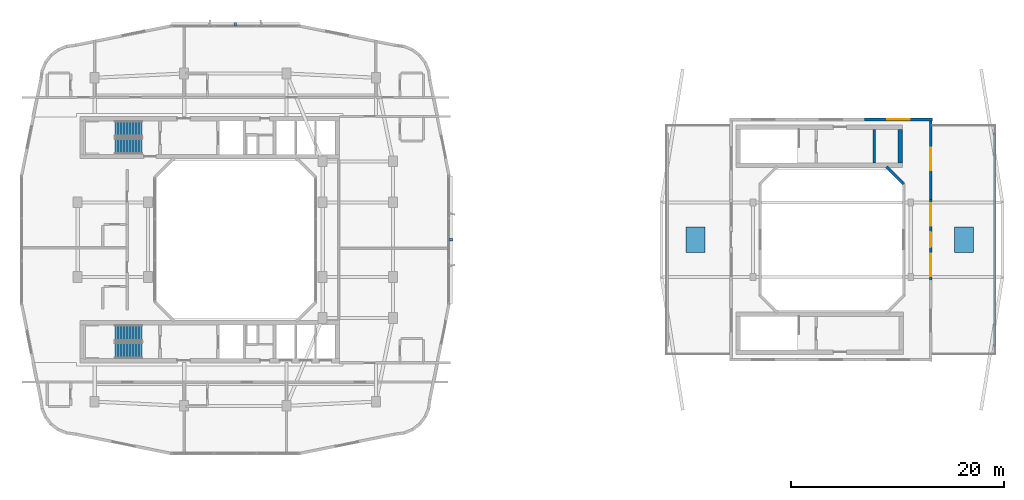
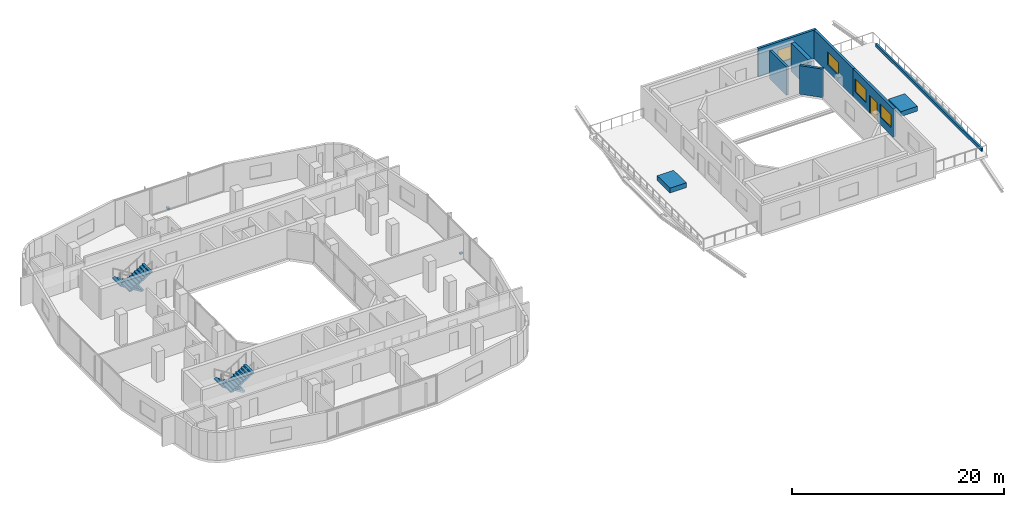
# One storey, part 13 of 18: 7 walls, 4 discrete accessories, 4 stair flights, 4 windows, 1 door, 5 openings, 2 elements without a shape of their own.
"""IFC4 building model written with IfcOpenShell, lengths in metres."""

from ifc_helpers import new_model, si_unit, derived_unit, direction, frame, frame_2d, origin, origin_2d, place, context, subcontext, project, spatial, polyline, rectangle, outline, extrude, material, layer, layer_set, type_object, element, fill, aggregate, save


model = new_model("IFC4")

# Units and contexts
model_context = context("Model", 3, precision=1e-05, world=origin(), true_north=direction((0.0, 1.0)))
body_context = subcontext(model_context, "Body", "Model", "MODEL_VIEW")
ifc_project = project(units=[si_unit("LENGTHUNIT", "METRE"), si_unit("AREAUNIT", "SQUARE_METRE"), si_unit("VOLUMEUNIT", "CUBIC_METRE"), si_unit("PLANEANGLEUNIT", "RADIAN"), si_unit("MASSUNIT", "GRAM", prefix="KILO"), derived_unit("THERMALTRANSMITTANCEUNIT", [(si_unit("POWERUNIT", "WATT"), 1), (si_unit("LENGTHUNIT", "METRE"), -2), (si_unit("THERMODYNAMICTEMPERATUREUNIT", "KELVIN"), -1)])], contexts=[model_context])

# Site, building, storey
site_placement = place(None, origin())
site = spatial("IfcSite", under=ifc_project, at=site_placement, CompositionType="ELEMENT")
building_placement = place(site_placement, origin())
building = spatial("IfcBuilding", under=site, at=building_placement, Name="Kivonza Crest Hotel", CompositionType="ELEMENT")
storey_placement = place(building_placement, frame((0.0, 0.0, 131.0)))
storey = spatial("IfcBuildingStorey", under=building, at=storey_placement, Name="L35", CompositionType="ELEMENT", Elevation=131.0)

# Wall
ifc_material_1 = material(Name="Concrete C50/60", Category="concrete")
ifc_layer_1 = layer(ifc_material_1, 0.39990234375)
ifc_layer_set_1 = layer_set([ifc_layer_1], Name="Concrete C50/60")
wall_type_1 = type_object("IfcWallType", Name="WL-CORE-400", PredefinedType="SHEAR", material=ifc_layer_set_1)
wall_1_placement = place(storey_placement, frame((83.39990234375, 32.199951171875, 0.0), z_axis=(0.0, 0.0, 1.0), x_axis=(0.0, 1.0, 0.0)))
element("IfcWall", 1, at=wall_1_placement, inside=storey, type_object=wall_type_1, Name="Core wall T2-N East L35", PredefinedType="SHEAR", context=body_context, shape_type="SweptSolid", body=[
    extrude(rectangle(XDim=3.16015625, YDim=0.39990234375, at=frame_2d((1.580078125, 0.0))), origin(), (0.0, 0.0, 1.0), 3.2900390625),
])

# Wall, openings, door, windows
ifc_material_2 = material(Name="Precast concrete C40/50", Category="concrete")
ifc_layer_2 = layer(ifc_material_2, 0.260009765625)
ifc_layer_set_2 = layer_set([ifc_layer_2], Name="Precast concrete C40/50")
wall_type_2 = type_object("IfcWallType", Name="WL-EXT-260", PredefinedType="STANDARD", material=ifc_layer_set_2)
wall_2_placement = place(storey_placement, frame((86.27001953125, 21.19189453125, 0.0), z_axis=(0.0, 0.0, 1.0), x_axis=(0.0, 1.0, 0.0)))
wall_2 = element("IfcWall", 2, at=wall_2_placement, inside=storey, type_object=wall_type_2, Name="L35 T2PAV exterior insulated wall 5", PredefinedType="STANDARD", context=body_context, shape_type="SweptSolid", body=[
    extrude(rectangle(XDim=7.6162109375, YDim=0.260009765625, at=frame_2d((3.80810546875, 0.0))), origin(), (0.0, 0.0, 1.0), 3.2900390625),
])
opening_1_placement = place(wall_2_placement, frame((3.10791015625, 0.0, 0.0)))
opening_1 = element("IfcOpeningElement", 3, at=opening_1_placement, cuts=wall_2, Name="Opening DT-140", PredefinedType="OPENING", context=body_context, shape_type="SweptSolid", body=[
    extrude(rectangle(XDim=1.39990234375, YDim=2.14990234375, at=frame_2d((0.699951171875, 1.074951171875))), frame((0.0, 0.14013671875, 0.0), z_axis=(0.0, -1.0, 0.0), x_axis=(1.0, 0.0, 0.0)), (0.0, 0.0, 1.0), 0.280029296875),
])
opening_2_placement = place(wall_2_placement, frame((0.39892578125, 0.0, 0.85009765625)))
opening_2 = element("IfcOpeningElement", 4, at=opening_2_placement, cuts=wall_2, Name="Opening WN-04", PredefinedType="OPENING", context=body_context, shape_type="SweptSolid", body=[
    extrude(rectangle(XDim=2.10009765625, YDim=1.5, at=frame_2d((1.050048828125, 0.75))), frame((0.0, 0.14013671875, 0.0), z_axis=(0.0, -1.0, 0.0), x_axis=(1.0, 0.0, 0.0)), (0.0, 0.0, 1.0), 0.280029296875),
])
opening_3_placement = place(wall_2_placement, frame((5.116943359375, 0.0, 0.85009765625)))
opening_3 = element("IfcOpeningElement", 5, at=opening_3_placement, cuts=wall_2, Name="Opening WN-04", PredefinedType="OPENING", context=body_context, shape_type="SweptSolid", body=[
    extrude(rectangle(XDim=2.10009765625, YDim=1.5, at=frame_2d((1.050048828125, 0.75))), frame((0.0, 0.14013671875, 0.0), z_axis=(0.0, -1.0, 0.0), x_axis=(1.0, 0.0, 0.0)), (0.0, 0.0, 1.0), 0.280029296875),
])
ifc_material_3 = material(Name="Anodised bronze aluminium and laminated safety glass", Category="aluminium")
door_type = type_object("IfcDoorType", Name="DR-TERR-1400", OperationType="NOTDEFINED", PredefinedType="DOOR", material=ifc_material_3)
door_placement = place(opening_1_placement, frame((1.39990234375, 0.0, 0.0), z_axis=(0.0, 0.0, 1.0), x_axis=(-1.0, 0.0, 0.0)))
door = element("IfcDoor", 6, at=door_placement, inside=storey, type_object=door_type, Name="L35 Companion East rooftop planted terrace access door", OperationType="DOUBLE_DOOR_SINGLE_SWING", OverallHeight=2.14990234375, OverallWidth=1.39990234375, PredefinedType="DOOR", context=body_context, shape_type="SweptSolid", body=[
    extrude(rectangle(XDim=1.39990234375, YDim=2.14990234375, at=frame_2d((0.699951171875, 1.074951171875))), frame((0.0, 0.02490234375, 0.0), z_axis=(0.0, -1.0, 0.0), x_axis=(1.0, 0.0, 0.0)), (0.0, 0.0, 1.0), 0.050048828125),
])
fill(opening_1, door)
ifc_material_4 = material(Name="Thermally broken bronze aluminium and low-E double glazing", Category="aluminium")
window_type = type_object("IfcWindowType", Name="WN-210x150", PartitioningType="DOUBLE_PANEL_VERTICAL", PredefinedType="WINDOW", material=ifc_material_4)
window_1_placement = place(opening_2_placement, origin())
window_1 = element("IfcWindow", 7, at=window_1_placement, inside=storey, type_object=window_type, Name="L35 T2PAV facade window 5 bay 1", OverallHeight=1.5, OverallWidth=2.10009765625, PartitioningType="SINGLE_PANEL", PredefinedType="WINDOW", context=body_context, shape_type="SweptSolid", body=[
    extrude(rectangle(XDim=2.10009765625, YDim=1.5, at=frame_2d((1.050048828125, 0.75))), frame((0.0, 0.030029296875, 0.0), z_axis=(0.0, -1.0, 0.0), x_axis=(1.0, 0.0, 0.0)), (0.0, 0.0, 1.0), 0.06005859375),
])
fill(opening_2, window_1)
window_2_placement = place(opening_3_placement, origin())
window_2 = element("IfcWindow", 8, at=window_2_placement, inside=storey, type_object=window_type, Name="L35 T2PAV facade window 5 bay 2", OverallHeight=1.5, OverallWidth=2.10009765625, PartitioningType="SINGLE_PANEL", PredefinedType="WINDOW", context=body_context, shape_type="SweptSolid", body=[
    extrude(rectangle(XDim=2.10009765625, YDim=1.5, at=frame_2d((1.050048828125, 0.75))), frame((0.0, 0.030029296875, 0.0), z_axis=(0.0, -1.0, 0.0), x_axis=(1.0, 0.0, 0.0)), (0.0, 0.0, 1.0), 0.06005859375),
])
fill(opening_3, window_2)

# Wall, opening, window
wall_3_placement = place(storey_placement, frame((86.27001953125, 28.7919921875, 0.0), z_axis=(0.0, 0.0, 1.0), x_axis=(0.0, 1.0, 0.0)))
wall_3 = element("IfcWall", 9, at=wall_3_placement, inside=storey, type_object=wall_type_2, Name="L35 T2PAV exterior insulated wall 6", PredefinedType="STANDARD", context=body_context, shape_type="SweptSolid", body=[
    extrude(rectangle(XDim=7.597900390625, YDim=0.260009765625, at=frame_2d((3.798828125, 0.0))), origin(), (0.0, 0.0, 1.0), 3.2900390625),
])
opening_4_placement = place(wall_3_placement, frame((2.7490234375, 0.0, 0.85009765625)))
opening_4 = element("IfcOpeningElement", 10, at=opening_4_placement, cuts=wall_3, Name="Opening WN-04", PredefinedType="OPENING", context=body_context, shape_type="SweptSolid", body=[
    extrude(rectangle(XDim=2.10009765625, YDim=1.5, at=frame_2d((1.050048828125, 0.75))), frame((0.0, 0.14013671875, 0.0), z_axis=(0.0, -1.0, 0.0), x_axis=(1.0, 0.0, 0.0)), (0.0, 0.0, 1.0), 0.280029296875),
])
window_3_placement = place(opening_4_placement, origin())
window_3 = element("IfcWindow", 11, at=window_3_placement, inside=storey, type_object=window_type, Name="L35 T2PAV facade window 6", OverallHeight=1.5, OverallWidth=2.10009765625, PartitioningType="SINGLE_PANEL", PredefinedType="WINDOW", context=body_context, shape_type="SweptSolid", body=[
    extrude(rectangle(XDim=2.10009765625, YDim=1.5, at=frame_2d((1.050048828125, 0.75))), frame((0.0, 0.030029296875, 0.0), z_axis=(0.0, -1.0, 0.0), x_axis=(1.0, 0.0, 0.0)), (0.0, 0.0, 1.0), 0.06005859375),
])
fill(opening_4, window_3)

wall_4_placement = place(storey_placement, frame((86.425048828125, 36.27001953125, 0.0), z_axis=(0.0, 0.0, 1.0), x_axis=(-1.0, 0.0, 0.0)))
wall_4 = element("IfcWall", 12, at=wall_4_placement, inside=storey, type_object=wall_type_2, Name="L35 T2PAV exterior insulated wall 7", PredefinedType="STANDARD", context=body_context, shape_type="SweptSolid", body=[
    extrude(rectangle(XDim=6.365966796875, YDim=0.260009765625, at=frame_2d((3.18310546875, 0.0))), origin(), (0.0, 0.0, 1.0), 3.2900390625),
])
opening_5_placement = place(wall_4_placement, frame((2.133056640625, 0.0, 0.85009765625)))
opening_5 = element("IfcOpeningElement", 13, at=opening_5_placement, cuts=wall_4, Name="Opening WN-04", PredefinedType="OPENING", context=body_context, shape_type="SweptSolid", body=[
    extrude(rectangle(XDim=2.10009765625, YDim=1.5, at=frame_2d((1.050048828125, 0.75))), frame((0.0, 0.14013671875, 0.0), z_axis=(0.0, -1.0, 0.0), x_axis=(1.0, 0.0, 0.0)), (0.0, 0.0, 1.0), 0.280029296875),
])
window_4_placement = place(opening_5_placement, origin())
window_4 = element("IfcWindow", 14, at=window_4_placement, inside=storey, type_object=window_type, Name="L35 T2PAV facade window 7", OverallHeight=1.5, OverallWidth=2.10009765625, PartitioningType="SINGLE_PANEL", PredefinedType="WINDOW", context=body_context, shape_type="SweptSolid", body=[
    extrude(rectangle(XDim=2.10009765625, YDim=1.5, at=frame_2d((1.050048828125, 0.75))), frame((0.0, 0.030029296875, 0.0), z_axis=(0.0, -1.0, 0.0), x_axis=(1.0, 0.0, 0.0)), (0.0, 0.0, 1.0), 0.06005859375),
])
fill(opening_5, window_4)

# Walls
wall_5_placement = place(storey_placement, frame((83.756103515625, 30.22802734375, 0.0), z_axis=(0.0, 0.0, 1.0), x_axis=(-0.707106781187, 0.707106781187, 0.0)))
element("IfcWall", 15, at=wall_5_placement, inside=storey, type_object=wall_type_2, Name="L35 T2PAV light-well exterior wall 4", PredefinedType="STANDARD", context=body_context, shape_type="SweptSolid", body=[
    extrude(rectangle(XDim=2.310791015625, YDim=0.260009765625, at=frame_2d((1.1552734375, 0.0))), origin(), (0.0, 0.0, 1.0), 3.2900390625),
])
ifc_layer_3 = layer(ifc_material_2, 0.199951171875)
ifc_layer_set_3 = layer_set([ifc_layer_3], Name="Precast concrete C40/50")
wall_type_3 = type_object("IfcWallType", Name="WL-PARAPET-200", PredefinedType="PARAPET", material=ifc_layer_set_3)
wall_6_placement = place(storey_placement, frame((92.25, 15.0, 0.0), z_axis=(0.0, 0.0, 1.0), x_axis=(0.0, 1.0, 0.0)))
element("IfcWall", 16, at=wall_6_placement, inside=storey, type_object=wall_type_3, Name="T2 L35 E rooftop parapet kerb", PredefinedType="PARAPET", context=body_context, shape_type="SweptSolid", body=[
    extrude(rectangle(XDim=20.0, YDim=0.199951171875, at=frame_2d((10.0, 0.0))), origin(), (0.0, 0.0, 1.0), 0.35009765625),
])
ifc_layer_4 = layer(ifc_material_1, 0.25)
ifc_layer_set_4 = layer_set([ifc_layer_4], Name="Concrete C50/60")
wall_type_4 = type_object("IfcWallType", Name="WL-SHAFT-250", PredefinedType="STANDARD", material=ifc_layer_set_4)
wall_7_placement = place(storey_placement, frame((80.97509765625, 32.199951171875, 0.0), z_axis=(0.0, 0.0, 1.0), x_axis=(0.0, 1.0, 0.0)))
element("IfcWall", 17, at=wall_7_placement, inside=storey, type_object=wall_type_4, Name="Core shaft wall T2-N FFL-W L35", PredefinedType="STANDARD", context=body_context, shape_type="SweptSolid", body=[
    extrude(rectangle(XDim=3.16015625, YDim=0.25, at=frame_2d((1.580078125, 0.0))), origin(), (0.0, 0.0, 1.0), 3.25),
])

# Stair, stair flights
ifc_material_5 = material(Name="Concrete C40/50", Category="concrete")
stair_type = type_object("IfcStairType", Name="ST-DL-20R", PredefinedType="HALF_TURN_STAIR", material=ifc_material_5)
stair_1_placement = place(storey_placement, origin())
stair_1 = element("IfcStair", 18, at=stair_1_placement, inside=storey, type_object=stair_type, Name="L35 Protected Exit Stair ST-T1-N", PredefinedType="HALF_TURN_STAIR")
stair_flight_type = type_object("IfcStairFlightType", Name="SFL-RC-10R", PredefinedType="STRAIGHT", material=ifc_material_5)
stair_flight_1_placement = place(storey_placement, frame((12.239990234375, 35.409912109375, 0.0), z_axis=(0.0, 0.0, 1.0), x_axis=(-1.0, 0.0, 0.0)))
stair_flight_1 = element("IfcStairFlight", 19, at=stair_flight_1_placement, type_object=stair_flight_type, Name="ST-T1-N flight 1", NumberOfRisers=10, NumberOfTreads=9, PredefinedType="STRAIGHT", RiserHeight=0.175, TreadLength=0.28, context=body_context, shape_type="SweptSolid", body=[
    extrude(outline(polyline([(0.0, 0.0), (0.0, 0.175048828125), (0.280029296875, 0.175048828125), (0.280029296875, 0.35009765625), (0.56005859375, 0.35009765625), (0.56005859375, 0.52490234375), (0.840087890625, 0.52490234375), (0.840087890625, 0.699951171875), (1.1201171875, 0.699951171875), (1.1201171875, 0.875), (1.39990234375, 0.875), (1.39990234375, 1.050048828125), (1.679931640625, 1.050048828125), (1.679931640625, 1.22509765625), (1.9599609375, 1.22509765625), (1.9599609375, 1.39990234375), (2.239990234375, 1.39990234375), (2.239990234375, 1.574951171875), (2.52001953125, 1.574951171875), (2.52001953125, 1.75), (2.52001953125, 1.398193359375), (0.28271484375, 0.0), (0.0, 0.0)])), frame((0.0, 0.75, 0.0), z_axis=(0.0, -1.0, 0.0), x_axis=(1.0, 0.0, 0.0)), (0.0, 0.0, 1.0), 1.5),
])
stair_flight_2_placement = place(storey_placement, frame((9.719970703125, 33.77001953125, 1.75), z_axis=(0.0, 0.0, 1.0), x_axis=(1.0, 0.0, 0.0)))
stair_flight_2 = element("IfcStairFlight", 20, at=stair_flight_2_placement, type_object=stair_flight_type, Name="ST-T1-N flight 2", NumberOfRisers=10, NumberOfTreads=9, PredefinedType="STRAIGHT", RiserHeight=0.175, TreadLength=0.28, context=body_context, shape_type="SweptSolid", body=[
    extrude(outline(polyline([(0.0, 0.0), (0.0, 0.175048828125), (0.280029296875, 0.175048828125), (0.280029296875, 0.35009765625), (0.56005859375, 0.35009765625), (0.56005859375, 0.52490234375), (0.840087890625, 0.52490234375), (0.840087890625, 0.699951171875), (1.1201171875, 0.699951171875), (1.1201171875, 0.875), (1.39990234375, 0.875), (1.39990234375, 1.050048828125), (1.679931640625, 1.050048828125), (1.679931640625, 1.22509765625), (1.9599609375, 1.22509765625), (1.9599609375, 1.39990234375), (2.239990234375, 1.39990234375), (2.239990234375, 1.574951171875), (2.52001953125, 1.574951171875), (2.52001953125, 1.75), (2.52001953125, 1.398193359375), (0.28271484375, 0.0), (0.0, 0.0)])), frame((0.0, 0.75, 0.0), z_axis=(0.0, -1.0, 0.0), x_axis=(1.0, 0.0, 0.0)), (0.0, 0.0, 1.0), 1.5),
])
aggregate(stair_1, [stair_flight_1, stair_flight_2])

stair_2_placement = place(storey_placement, origin())
stair_2 = element("IfcStair", 21, at=stair_2_placement, inside=storey, type_object=stair_type, Name="L35 Protected Exit Stair ST-T1-S", PredefinedType="HALF_TURN_STAIR")
stair_flight_3_placement = place(storey_placement, frame((12.239990234375, 16.25, 0.0), z_axis=(0.0, 0.0, 1.0), x_axis=(-1.0, 0.0, 0.0)))
stair_flight_3 = element("IfcStairFlight", 22, at=stair_flight_3_placement, type_object=stair_flight_type, Name="ST-T1-S flight 1", NumberOfRisers=10, NumberOfTreads=9, PredefinedType="STRAIGHT", RiserHeight=0.175, TreadLength=0.28, context=body_context, shape_type="SweptSolid", body=[
    extrude(outline(polyline([(0.0, 0.0), (0.0, 0.175048828125), (0.280029296875, 0.175048828125), (0.280029296875, 0.35009765625), (0.56005859375, 0.35009765625), (0.56005859375, 0.52490234375), (0.840087890625, 0.52490234375), (0.840087890625, 0.699951171875), (1.1201171875, 0.699951171875), (1.1201171875, 0.875), (1.39990234375, 0.875), (1.39990234375, 1.050048828125), (1.679931640625, 1.050048828125), (1.679931640625, 1.22509765625), (1.9599609375, 1.22509765625), (1.9599609375, 1.39990234375), (2.239990234375, 1.39990234375), (2.239990234375, 1.574951171875), (2.52001953125, 1.574951171875), (2.52001953125, 1.75), (2.52001953125, 1.398193359375), (0.28271484375, 0.0), (0.0, 0.0)])), frame((0.0, 0.75, 0.0), z_axis=(0.0, -1.0, 0.0), x_axis=(1.0, 0.0, 0.0)), (0.0, 0.0, 1.0), 1.5),
])
stair_flight_4_placement = place(storey_placement, frame((9.719970703125, 14.610107421875, 1.75), z_axis=(0.0, 0.0, 1.0), x_axis=(1.0, 0.0, 0.0)))
stair_flight_4 = element("IfcStairFlight", 23, at=stair_flight_4_placement, type_object=stair_flight_type, Name="ST-T1-S flight 2", NumberOfRisers=10, NumberOfTreads=9, PredefinedType="STRAIGHT", RiserHeight=0.175, TreadLength=0.28, context=body_context, shape_type="SweptSolid", body=[
    extrude(outline(polyline([(0.0, 0.0), (0.0, 0.175048828125), (0.280029296875, 0.175048828125), (0.280029296875, 0.35009765625), (0.56005859375, 0.35009765625), (0.56005859375, 0.52490234375), (0.840087890625, 0.52490234375), (0.840087890625, 0.699951171875), (1.1201171875, 0.699951171875), (1.1201171875, 0.875), (1.39990234375, 0.875), (1.39990234375, 1.050048828125), (1.679931640625, 1.050048828125), (1.679931640625, 1.22509765625), (1.9599609375, 1.22509765625), (1.9599609375, 1.39990234375), (2.239990234375, 1.39990234375), (2.239990234375, 1.574951171875), (2.52001953125, 1.574951171875), (2.52001953125, 1.75), (2.52001953125, 1.398193359375), (0.28271484375, 0.0), (0.0, 0.0)])), frame((0.0, 0.75, 0.0), z_axis=(0.0, -1.0, 0.0), x_axis=(1.0, 0.0, 0.0)), (0.0, 0.0, 1.0), 1.5),
])
aggregate(stair_2, [stair_flight_3, stair_flight_4])

# Discrete accessories
ifc_material_6 = material(Name="Stainless steel 316", Category="steel")
discrete_accessory_type_1 = type_object("IfcDiscreteAccessoryType", Name="AC-BRACKET-240", PredefinedType="BRACKET", material=ifc_material_6)
for number, where, z_axis, x_axis, name in (
    (24, (41.239990234375, 25.0, -0.009765625), (0.0, 0.0, 1.0), (0.0, 1.0, 0.0), "L35 terracotta baguette support bracket CW-T1-L35-17"),
    (25, (21.0, 45.239990234375, -0.009765625), (0.0, 0.0, 1.0), (-1.0, 0.0, 0.0), "L35 terracotta baguette support bracket CW-T1-L35-26"),
):
    element("IfcDiscreteAccessory", number, at=place(storey_placement, frame(where, z_axis=z_axis, x_axis=x_axis)), inside=storey, type_object=discrete_accessory_type_1, Name=name, PredefinedType="BRACKET", context=body_context, shape_type="SweptSolid", body=[
        extrude(rectangle(XDim=0.219970703125, YDim=0.340087890625, at=origin_2d()), origin(), (0.0, 0.0, 1.0), 0.179931640625),
    ])
ifc_material_7 = material(Name="Precast GRC planter with engineered planting soil", Category="concrete")
discrete_accessory_type_2 = type_object("IfcDiscreteAccessoryType", Name="AC-PLANTER-1800", PredefinedType="USERDEFINED", material=ifc_material_7)
for number, where, z_axis, x_axis, name in (
    (26, (64.199951171875, 25.0, 0.0), (0.0, 0.0, 1.0), (1.0, 0.0, 0.0), "T2 L35 W rooftop garden planter"),
    (27, (89.39990234375, 25.0, 0.0), (0.0, 0.0, 1.0), (1.0, 0.0, 0.0), "T2 L35 E rooftop garden planter"),
):
    element("IfcDiscreteAccessory", number, at=place(storey_placement, frame(where, z_axis=z_axis, x_axis=x_axis)), inside=storey, type_object=discrete_accessory_type_2, Name=name, ObjectType="PLANTER", PredefinedType="USERDEFINED", context=body_context, shape_type="SweptSolid", body=[
        extrude(rectangle(XDim=1.800048828125, YDim=2.39990234375, at=origin_2d()), origin(), (0.0, 0.0, 1.0), 0.550048828125),
    ])

save(model, "model.ifc")
